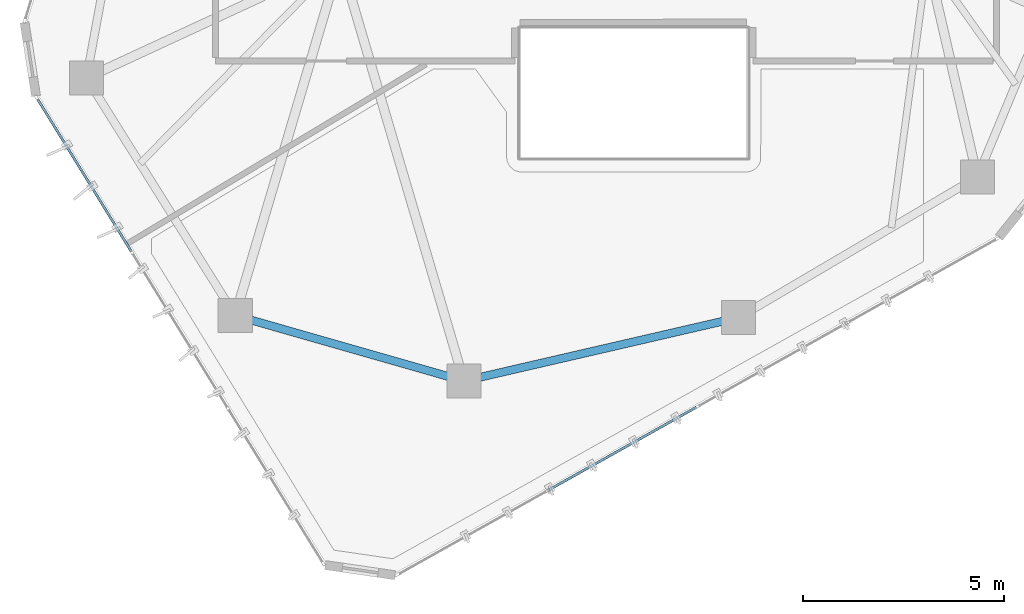
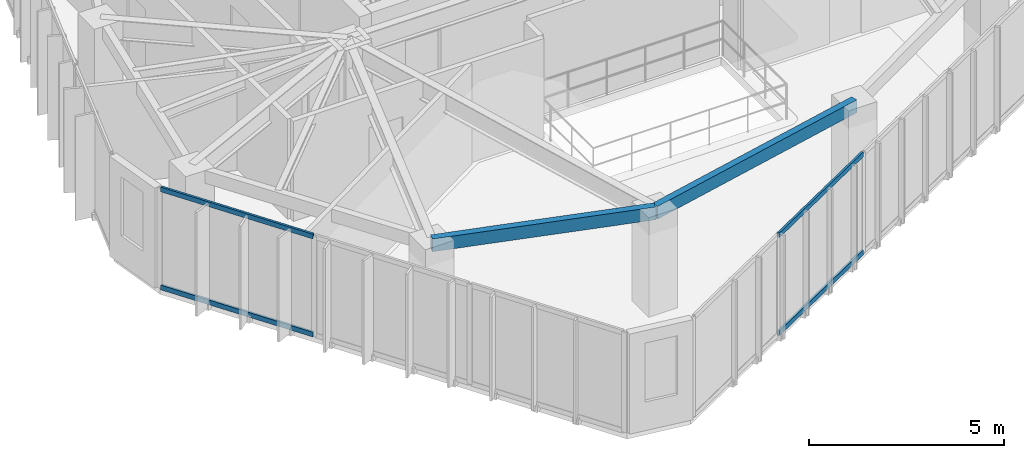
# One storey, part 3 of 20: 4 members, 2 beams, 2 elements without a shape of their own.
"""IFC4 building model written with IfcOpenShell, lengths in metres."""

import ifcopenshell
import ifcopenshell.guid

model = None  # the IFC model being written
_history = None  # IfcOwnerHistory: only IFC2X3 demands one
_inside = {}  # id of a spatial element -> (the spatial element, [elements in it])
_under = {}  # id of a project, library or spatial element -> (it, [spatial elements below it])
_declared = {}  # id of a project -> (the project, [libraries it declares])
_typed = {}  # id of a type object -> (the type object, [elements of that type])
_made_of = {}  # id of a material, layer set ... -> (it, [elements and type objects made of it])


def new_model(schema):
    """Start an empty IFC model of exactly this schema.

    Asked for "IFC4X3", IfcOpenShell would pick the latest addendum, in which some entities
    have other attributes; the version numbers below select the first issue.
    IFC2X3 requires an IfcOwnerHistory on every rooted entity: one is made here for all.
    """
    global model, _history
    if schema == "IFC4X3":
        model = ifcopenshell.file(schema_version=(4, 3, 0, 0))
    else:
        model = ifcopenshell.file(schema=schema)
    _inside.clear()
    _under.clear()
    _declared.clear()
    _typed.clear()
    _made_of.clear()
    _history = None
    if model.schema == "IFC2X3":
        org = make("IfcOrganization", Name="unknown")
        user = make(
            "IfcPersonAndOrganization",
            ThePerson=make("IfcPerson", FamilyName="unknown"),
            TheOrganization=org,
        )
        app = make(
            "IfcApplication",
            ApplicationDeveloper=org,
            Version="unknown",
            ApplicationFullName="unknown",
            ApplicationIdentifier="unknown",
        )
        _history = make(
            "IfcOwnerHistory",
            OwningUser=user,
            OwningApplication=app,
            ChangeAction="ADDED",
            CreationDate=0,
        )
    return model


def make(cls, **values):
    """One entity of the class cls with the attributes given. An attribute that is None is left unset."""
    return model.create_entity(
        cls, **{name: value for name, value in values.items() if value is not None}
    )


def rooted(cls, **values):
    """An entity with a GlobalId (a new one), such as an element, a storey or a relation."""
    return make(cls, GlobalId=ifcopenshell.guid.new(), OwnerHistory=_history, **values)


def si_unit(unit_type, name, prefix=None):
    """IfcSIUnit, for example si_unit("LENGTHUNIT", "METRE", prefix="MILLI")."""
    return make("IfcSIUnit", UnitType=unit_type, Prefix=prefix, Name=name)


def assignment(units):
    """IfcUnitAssignment: the units of a project."""
    return None if units is None else make("IfcUnitAssignment", Units=units)


def point(xyz):
    """IfcCartesianPoint."""
    return None if xyz is None else make("IfcCartesianPoint", Coordinates=xyz)


def direction(xyz):
    """IfcDirection."""
    return None if xyz is None else make("IfcDirection", DirectionRatios=xyz)


def frame(location, z_axis=None, x_axis=None):
    """IfcAxis2Placement3D, a coordinate frame: its origin and axes. An axis left out is left unset."""
    return make(
        "IfcAxis2Placement3D",
        Location=point(location),
        Axis=direction(z_axis),
        RefDirection=direction(x_axis),
    )


def frame_2d(location, x_axis=None):
    """IfcAxis2Placement2D, a coordinate frame in the plane: its origin and x axis."""
    return make(
        "IfcAxis2Placement2D", Location=point(location), RefDirection=direction(x_axis)
    )


def origin():
    """The frame at (0, 0, 0) with its axes left unset."""
    return frame((0.0, 0.0, 0.0))


def origin_2d():
    """The frame at (0, 0) in the plane with its x axis left unset."""
    return frame_2d((0.0, 0.0))


def place(relative_to, where):
    """IfcLocalPlacement: puts the frame where relative to a parent placement (None: the world)."""
    return make(
        "IfcLocalPlacement", PlacementRelTo=relative_to, RelativePlacement=where
    )


def context(
    kind, dimensions, precision=None, world=None, true_north=None, identifier=None
):
    """IfcGeometricRepresentationContext, for example the 3D "Model" context."""
    return make(
        "IfcGeometricRepresentationContext",
        ContextIdentifier=identifier,
        ContextType=kind,
        CoordinateSpaceDimension=dimensions,
        Precision=precision,
        WorldCoordinateSystem=world,
        TrueNorth=true_north,
    )


def subcontext(parent, identifier, kind, view, scale=None):
    """IfcGeometricRepresentationSubContext, for example "Body" below "Model"."""
    return make(
        "IfcGeometricRepresentationSubContext",
        ContextIdentifier=identifier,
        ContextType=kind,
        ParentContext=parent,
        TargetScale=scale,
        TargetView=view,
    )


def project(units=None, contexts=None):
    """IfcProject with its units and contexts."""
    return rooted(
        "IfcProject",
        Name="project",
        RepresentationContexts=contexts,
        UnitsInContext=assignment(units),
    )


def spatial(cls, under=None, at=None, **own):
    """A site, building, storey or space (cls), placed at a placement, below another one or the project."""
    s = rooted(cls, ObjectPlacement=at, **own)
    if under is not None:
        _under.setdefault(under.id(), (under, []))[1].append(s)
    return s


def profile(cls, at=None, kind="AREA", **sizes):
    """A parametric profile (cls). Its sizes go by their IFC names, for example OverallWidth=200.0."""
    return make(cls, ProfileType=kind, Position=at, **sizes)


def hollow_rectangle(**sizes):
    """IfcRectangleHollowProfileDef."""
    return profile("IfcRectangleHollowProfileDef", **sizes)


def extrude(swept, where, along, depth):
    """IfcExtrudedAreaSolid: the profile swept, set in the frame where, extruded along a direction by depth."""
    return make(
        "IfcExtrudedAreaSolid",
        SweptArea=swept,
        Position=where,
        ExtrudedDirection=direction(along),
        Depth=depth,
    )


def shape(context_of_items, identifier, shape_type, items):
    """IfcShapeRepresentation: the items that make up one representation, for example the "Body"."""
    return make(
        "IfcShapeRepresentation",
        ContextOfItems=context_of_items,
        RepresentationIdentifier=identifier,
        RepresentationType=shape_type,
        Items=items,
    )


def source(mapping_origin, context_of_items, identifier, shape_type, items):
    """IfcRepresentationMap: a shape defined once, which mapped items show again and again."""
    return make(
        "IfcRepresentationMap",
        MappingOrigin=mapping_origin,
        MappedRepresentation=shape(context_of_items, identifier, shape_type, items),
    )


def transform(
    local_origin,
    x_axis=None,
    y_axis=None,
    z_axis=None,
    scale=None,
    scale2=None,
    scale3=None,
    uniform=True,
):
    """IfcCartesianTransformationOperator3D, or its non-uniform kind. x_axis, y_axis, z_axis: its Axis1, 2, 3."""
    if uniform:
        return make(
            "IfcCartesianTransformationOperator3D",
            Axis1=direction(x_axis),
            Axis2=direction(y_axis),
            LocalOrigin=point(local_origin),
            Scale=scale,
            Axis3=direction(z_axis),
        )
    return make(
        "IfcCartesianTransformationOperator3DnonUniform",
        Axis1=direction(x_axis),
        Axis2=direction(y_axis),
        LocalOrigin=point(local_origin),
        Scale=scale,
        Axis3=direction(z_axis),
        Scale2=scale2,
        Scale3=scale3,
    )


def mapped(mapping_source, mapping_target):
    """IfcMappedItem: shows the shape of a source again, moved by a transform."""
    return make(
        "IfcMappedItem", MappingSource=mapping_source, MappingTarget=mapping_target
    )


def material(Name=None, Category=None):
    """IfcMaterial."""
    return make("IfcMaterial", Name=Name, Category=Category)


def layer(
    of_material, thickness, ventilated=None, Name=None, Category=None, Priority=None
):
    """IfcMaterialLayer: one layer of a wall or slab, of a material (None: an air gap)."""
    return make(
        "IfcMaterialLayer",
        Material=of_material,
        LayerThickness=thickness,
        IsVentilated=ventilated,
        Name=Name,
        Category=Category,
        Priority=Priority,
    )


def layer_set(layers, Name=None):
    """IfcMaterialLayerSet."""
    return make("IfcMaterialLayerSet", MaterialLayers=layers, LayerSetName=Name)


def material_profile(
    of_material, cross_section, Name=None, Category=None, Priority=None
):
    """IfcMaterialProfile: a cross section and its material."""
    return make(
        "IfcMaterialProfile",
        Name=Name,
        Material=of_material,
        Profile=cross_section,
        Priority=Priority,
        Category=Category,
    )


def profile_set(profiles, Name=None, composite=None):
    """IfcMaterialProfileSet."""
    return make(
        "IfcMaterialProfileSet",
        Name=Name,
        MaterialProfiles=profiles,
        CompositeProfile=composite,
    )


def made_of(thing, what):
    """Note that an element or type object is made of a material, layer set ...; save() writes the relation."""
    if what is not None:
        _made_of.setdefault(what.id(), (what, []))[1].append(thing)
    return thing


def type_object(cls, material=None, **own):
    """A type object (cls), such as IfcWallType, which elements share."""
    return made_of(rooted(cls, **own), material)


def type_shapes(of_type, sources):
    """Give a type object the sources (RepresentationMaps) that its elements show as mapped items."""
    of_type.RepresentationMaps = sources


def element(
    cls,
    number,
    at=None,
    inside=None,
    cuts=None,
    type_object=None,
    material=None,
    context=None,
    identifier="Body",
    shape_type=None,
    held_by="IfcProductDefinitionShape",
    body=None,
    shapes=None,
    **own,
):
    """One element of the class cls, such as IfcWall. Its Tag is "e" and its number.

    at: its placement. inside: the storey or other place that contains it. cuts: it is an
    opening in that element (IfcRelVoidsElement). A single representation is given by context,
    identifier, shape_type and body (its items); several are given by shapes. held_by: the class
    of the entity that holds the representations. save() writes the other relations.
    """
    e = rooted(cls, Tag="e%d" % number, ObjectPlacement=at, **own)
    if body is not None:
        shapes = [shape(context, identifier, shape_type, body)]
    if shapes is not None:
        e.Representation = make(held_by, Representations=shapes)
    if inside is not None:
        _inside.setdefault(inside.id(), (inside, []))[1].append(e)
    if cuts is not None:
        rooted(
            "IfcRelVoidsElement", RelatingBuildingElement=cuts, RelatedOpeningElement=e
        )
    if type_object is not None:
        _typed.setdefault(type_object.id(), (type_object, []))[1].append(e)
    return made_of(e, material)


def aggregate(whole, parts):
    """IfcRelAggregates: a whole, such as a stair, and the parts it consists of."""
    return rooted("IfcRelAggregates", RelatingObject=whole, RelatedObjects=parts)


def save(model, path):
    """Write the relations noted so far, then the file.

    IfcRelAggregates (storeys below a building ...), IfcRelContainedInSpatialStructure (elements
    in a storey), IfcRelDefinesByType, IfcRelAssociatesMaterial and IfcRelDeclares: one each for
    every whole, place, type object, material and project.
    """
    for whole, parts in _under.values():
        aggregate(whole, parts)
    for where, things in _inside.values():
        rooted(
            "IfcRelContainedInSpatialStructure",
            RelatedElements=things,
            RelatingStructure=where,
        )
    for kind, things in _typed.values():
        rooted("IfcRelDefinesByType", RelatedObjects=things, RelatingType=kind)
    for what, things in _made_of.values():
        rooted("IfcRelAssociatesMaterial", RelatedObjects=things, RelatingMaterial=what)
    for by, libraries in _declared.values():
        rooted("IfcRelDeclares", RelatingContext=by, RelatedDefinitions=libraries)
    model.write(path)


model = new_model("IFC4")

# Units and contexts
model_context = context("Model", 3, precision=1e-05, world=origin(), true_north=direction((0.0, 1.0)))
body_context = subcontext(model_context, "Body", "Model", "MODEL_VIEW")
ifc_project = project(units=[si_unit("LENGTHUNIT", "METRE"), si_unit("AREAUNIT", "SQUARE_METRE"), si_unit("VOLUMEUNIT", "CUBIC_METRE"), si_unit("PLANEANGLEUNIT", "RADIAN"), si_unit("MASSUNIT", "GRAM", prefix="KILO")], contexts=[model_context])

# Site, building, storey
site_placement = place(None, origin())
site = spatial("IfcSite", under=ifc_project, at=site_placement, CompositionType="ELEMENT")
building_placement = place(site_placement, origin())
building = spatial("IfcBuilding", under=site, at=building_placement, Name="Talar Marvaseh", CompositionType="ELEMENT")
storey_placement = place(building_placement, frame((0.0, 0.0, 257.800048828125)))
storey = spatial("IfcBuildingStorey", under=building, at=storey_placement, Name="L68", CompositionType="ELEMENT", Elevation=257.800048828125)

# Beams
ifc_material_1 = material(Name="Steel S355", Category="steel")
ifc_material_profile_1 = material_profile(ifc_material_1, hollow_rectangle(XDim=0.199951171875, YDim=0.39990234375, WallThickness=0.013916015625, at=origin_2d()), Name="RHS400x200x14")
ifc_profile_set_1 = profile_set([ifc_material_profile_1], Name="Steel S355")
beam_type = type_object("IfcBeamType", Name="Zone 3 Perimeter Spandrel Beam RHS400x200x14", PredefinedType="SPANDREL", material=ifc_profile_set_1)
beam_1_placement = place(storey_placement, frame((28.60498046875, 16.616943359375, 2.93994140625), z_axis=(-0.974361245946, -0.22498924952, 0.0), x_axis=(0.22498924952, -0.974361245946, 0.0)))
element("IfcBeam", 1, at=beam_1_placement, inside=storey, type_object=beam_type, Name="L68 Zone 3 Perimeter Spandrel Beam RHS400x200x14", PredefinedType="SPANDREL", context=body_context, shape_type="SweptSolid", body=[
    extrude(hollow_rectangle(XDim=0.199951171875, YDim=0.39990234375, WallThickness=0.013916015625, at=origin_2d()), origin(), (0.0, 0.0, 1.0), 7.0087890625),
])
beam_2_placement = place(storey_placement, frame((21.77587890625, 15.0400390625, 2.93994140625), z_axis=(-0.961411768303, 0.275113452538, 0.0), x_axis=(-0.275113452538, -0.961411768303, 0.0)))
element("IfcBeam", 2, at=beam_2_placement, inside=storey, type_object=beam_type, Name="L68 Zone 3 Perimeter Spandrel Beam RHS400x200x14", PredefinedType="SPANDREL", context=body_context, shape_type="SweptSolid", body=[
    extrude(hollow_rectangle(XDim=0.199951171875, YDim=0.39990234375, WallThickness=0.013916015625, at=origin_2d()), origin(), (0.0, 0.0, 1.0), 5.917236328125),
])

# Curtain wall, members
ifc_material_2 = material(Name="Architectural Aluminium", Category="aluminium")
ifc_layer = layer(ifc_material_2, 0.179931640625)
ifc_layer_set = layer_set([ifc_layer], Name="Architectural Aluminium")
curtain_wall_type = type_object("IfcCurtainWallType", Name="Unitised High-Wind Sky Curtain Wall Z4", PredefinedType="NOTDEFINED", material=ifc_layer_set)
curtain_wall_1_placement = place(storey_placement, origin())
curtain_wall_1 = element("IfcCurtainWall", 3, at=curtain_wall_1_placement, inside=storey, type_object=curtain_wall_type, Name="L68 Unitised High-Wind Sky Curtain Wall Z4", PredefinedType="NOTDEFINED")
ifc_material_profile_2 = material_profile(ifc_material_2, hollow_rectangle(XDim=0.06494140625, YDim=0.14990234375, WallThickness=0.00390625, at=origin_2d()), Name="RHS150x65x4")
ifc_profile_set_2 = profile_set([ifc_material_profile_2], Name="Architectural Aluminium")
member_type = type_object("IfcMemberType", Name="Unitised Curtain Wall Slim Transom RHS150x65x4", PredefinedType="USERDEFINED", material=ifc_profile_set_2)
shared_shape_1 = source(origin(), body_context, "Body", "SweptSolid", [
    extrude(hollow_rectangle(XDim=0.06494140625, YDim=0.14990234375, WallThickness=0.00390625, at=origin_2d()), origin(), (0.0, 0.0, 1.0), 4.447265625),
])
member_1_placement = place(storey_placement, frame((13.505615234375, 18.259033203125, 0.032470703125), z_axis=(-0.523925894987, 0.851763850232, 0.0), x_axis=(-0.851763850232, -0.523925894987, 0.0)))
member_1 = element("IfcMember", 4, at=member_1_placement, type_object=member_type, Name="CW-Z4 transom 3.1", ObjectType="TRANSOM", PredefinedType="USERDEFINED", context=body_context, shape_type="MappedRepresentation", body=[
    mapped(shared_shape_1, transform((0.0, 0.0, 0.0), x_axis=(1.0, 0.0, 0.0), y_axis=(0.0, 1.0, 0.0), z_axis=(0.0, 0.0, 1.0), scale=1.0)),
])
member_2_placement = place(storey_placement, frame((13.505615234375, 18.259033203125, 3.107421875), z_axis=(-0.523925894987, 0.851763850232, 0.0), x_axis=(-0.851763850232, -0.523925894987, 0.0)))
member_2 = element("IfcMember", 5, at=member_2_placement, type_object=member_type, Name="CW-Z4 transom 3.2", ObjectType="TRANSOM", PredefinedType="USERDEFINED", context=body_context, shape_type="MappedRepresentation", body=[
    mapped(shared_shape_1, transform((0.0, 0.0, 0.0), x_axis=(1.0, 0.0, 0.0), y_axis=(0.0, 1.0, 0.0), z_axis=(0.0, 0.0, 1.0), scale=1.0)),
])
aggregate(curtain_wall_1, [member_1, member_2])

curtain_wall_2_placement = place(storey_placement, origin())
curtain_wall_2 = element("IfcCurtainWall", 6, at=curtain_wall_2_placement, inside=storey, type_object=curtain_wall_type, Name="L68 Unitised High-Wind Sky Curtain Wall Z4", PredefinedType="NOTDEFINED")
shared_shape_2 = source(origin(), body_context, "Body", "SweptSolid", [
    extrude(hollow_rectangle(XDim=0.06494140625, YDim=0.14990234375, WallThickness=0.00390625, at=origin_2d()), origin(), (0.0, 0.0, 1.0), 4.221435546875),
])
type_shapes(member_type, [shared_shape_1, shared_shape_2])
member_3_placement = place(storey_placement, frame((27.555419921875, 14.3876953125, 0.032470703125), z_axis=(-0.872422175865, -0.488753053247, 0.0), x_axis=(0.488753053247, -0.872422175865, 0.0)))
member_3 = element("IfcMember", 7, at=member_3_placement, type_object=member_type, Name="CW-Z4 transom 3.1", ObjectType="TRANSOM", PredefinedType="USERDEFINED", context=body_context, shape_type="MappedRepresentation", body=[
    mapped(shared_shape_2, transform((0.0, 0.0, 0.0), x_axis=(1.0, 0.0, 0.0), y_axis=(0.0, 1.0, 0.0), z_axis=(0.0, 0.0, 1.0), scale=1.0)),
])
member_4_placement = place(storey_placement, frame((27.555419921875, 14.3876953125, 3.107421875), z_axis=(-0.872422175865, -0.488753053247, 0.0), x_axis=(0.488753053247, -0.872422175865, 0.0)))
member_4 = element("IfcMember", 8, at=member_4_placement, type_object=member_type, Name="CW-Z4 transom 3.2", ObjectType="TRANSOM", PredefinedType="USERDEFINED", context=body_context, shape_type="MappedRepresentation", body=[
    mapped(shared_shape_2, transform((0.0, 0.0, 0.0), x_axis=(1.0, 0.0, 0.0), y_axis=(0.0, 1.0, 0.0), z_axis=(0.0, 0.0, 1.0), scale=1.0)),
])
aggregate(curtain_wall_2, [member_3, member_4])

save(model, "model.ifc")
